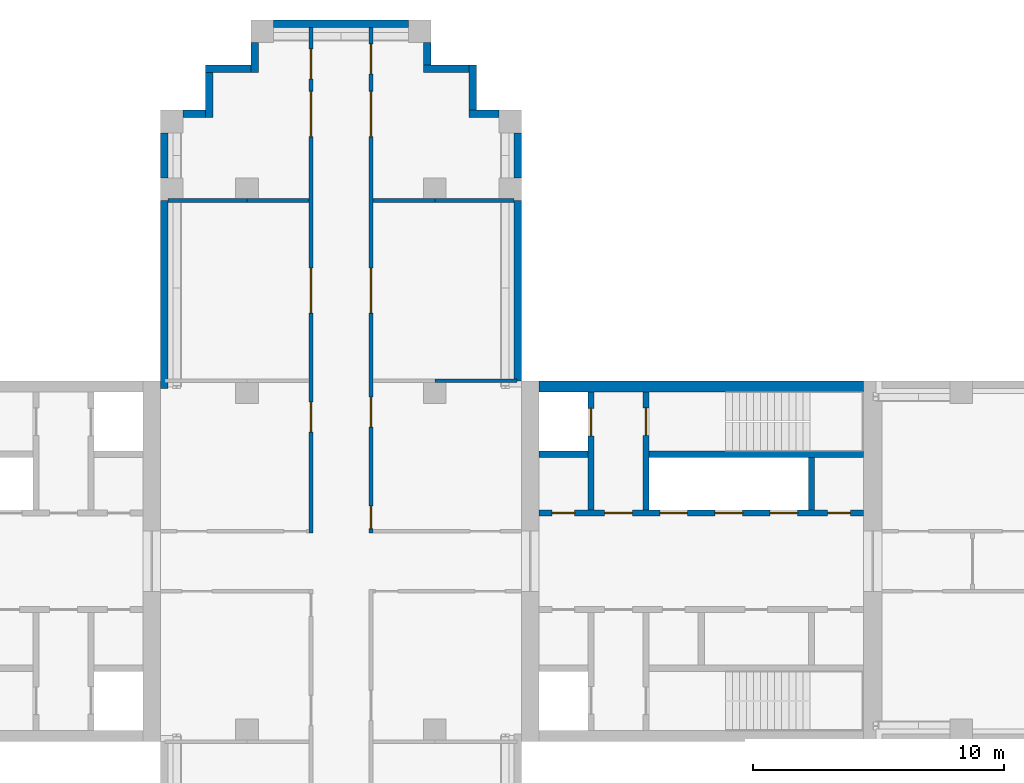
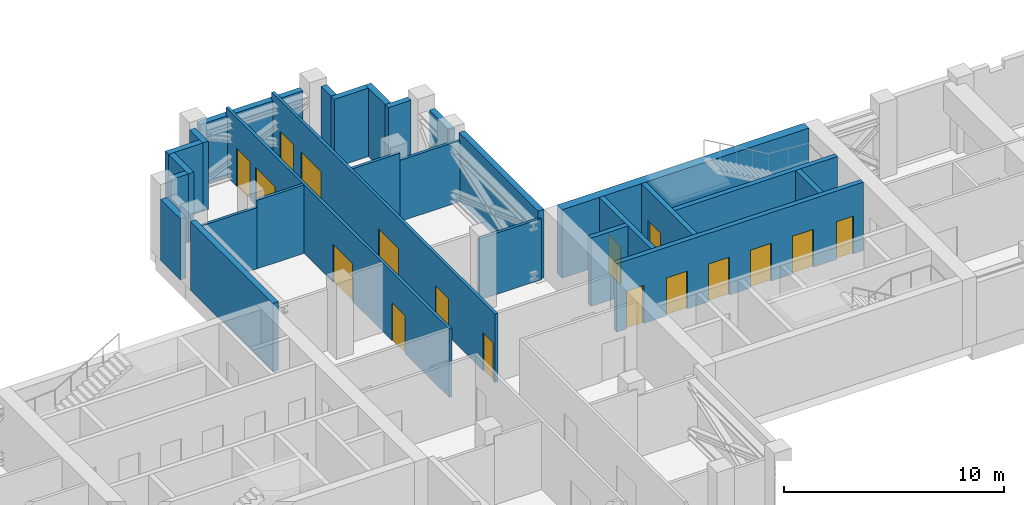
# One storey, part 6 of 9: 27 walls, 17 doors, 17 openings.
"""IFC4 building model written with IfcOpenShell, lengths in metres."""

from ifc_helpers import new_model, si_unit, direction, frame, frame_2d, origin, place, context, subcontext, project, spatial, rectangle, extrude, material, layer, layer_set, type_object, element, fill, save


model = new_model("IFC4")

# Units and contexts
model_context = context("Model", 3, precision=1e-05, world=origin(), true_north=direction((0.0, 1.0)))
body_context = subcontext(model_context, "Body", "Model", "MODEL_VIEW")
ifc_project = project(units=[si_unit("LENGTHUNIT", "METRE"), si_unit("AREAUNIT", "SQUARE_METRE"), si_unit("VOLUMEUNIT", "CUBIC_METRE"), si_unit("PLANEANGLEUNIT", "RADIAN"), si_unit("MASSUNIT", "GRAM", prefix="KILO")], contexts=[model_context])

# Site, building, storey
site_placement = place(None, origin())
site = spatial("IfcSite", under=ifc_project, at=site_placement, CompositionType="ELEMENT")
building_placement = place(site_placement, origin())
building = spatial("IfcBuilding", under=site, at=building_placement, Name="Fustian Cross Tower", CompositionType="ELEMENT")
storey_placement = place(building_placement, frame((0.0, 0.0, 162.300048828125)))
storey = spatial("IfcBuildingStorey", under=building, at=storey_placement, Name="L51", CompositionType="ELEMENT", Elevation=162.300048828125)

# Wall
ifc_material_1 = material(Name="Plasterboard on steel stud", Category="steel")
ifc_layer_1 = layer(ifc_material_1, 0.14990234375)
ifc_layer_set_1 = layer_set([ifc_layer_1], Name="Plasterboard on steel stud")
wall_type_1 = type_object("IfcWallType", Name="COMPARTMENT WALL 150 EI 60", PredefinedType="PARTITIONING", material=ifc_layer_set_1)
wall_1_placement = place(storey_placement, frame((-6.89990234375, 14.39990234375, 0.0), z_axis=(0.0, 0.0, 1.0), x_axis=(1.0, 0.0, 0.0)))
element("IfcWall", 1, at=wall_1_placement, inside=storey, type_object=wall_type_1, Name="Partition 10", PredefinedType="PARTITIONING", context=body_context, shape_type="SweptSolid", body=[
    extrude(rectangle(XDim=3.14990234375, YDim=0.14990234375, at=frame_2d((1.574951171875, 0.0))), origin(), (0.0, 0.0, 1.0), 3.39990234375),
])

# Wall, openings, doors
wall_2_placement = place(storey_placement, frame((-1.199951171875, 1.125, 0.0), z_axis=(0.0, 0.0, 1.0), x_axis=(0.0, 1.0, 0.0)))
wall_2 = element("IfcWall", 2, at=wall_2_placement, inside=storey, type_object=wall_type_1, Name="Partition 12", PredefinedType="PARTITIONING", context=body_context, shape_type="SweptSolid", body=[
    extrude(rectangle(XDim=20.294921875, YDim=0.14990234375, at=frame_2d((10.1474609375, 0.0))), origin(), (0.0, 0.0, 1.0), 3.800048828125),
])
opening_1_placement = place(wall_2_placement, frame((4.02490234375, 0.0, 0.0)))
opening_1 = element("IfcOpeningElement", 3, at=opening_1_placement, cuts=wall_2, Name="Opening D23006", PredefinedType="OPENING", context=body_context, shape_type="SweptSolid", body=[
    extrude(rectangle(XDim=1.199951171875, YDim=2.10009765625, at=frame_2d((0.60009765625, 1.050048828125))), frame((0.0, 0.0849609375, 0.0), z_axis=(0.0, -1.0, 0.0), x_axis=(1.0, 0.0, 0.0)), (0.0, 0.0, 1.0), 0.169921875),
])
opening_2_placement = place(wall_2_placement, frame((8.77490234375, 0.0, 0.0)))
opening_2 = element("IfcOpeningElement", 4, at=opening_2_placement, cuts=wall_2, Name="Opening D23013", PredefinedType="OPENING", context=body_context, shape_type="SweptSolid", body=[
    extrude(rectangle(XDim=1.800048828125, YDim=2.10009765625, at=frame_2d((0.89990234375, 1.050048828125))), frame((0.0, 0.0849609375, 0.0), z_axis=(0.0, -1.0, 0.0), x_axis=(1.0, 0.0, 0.0)), (0.0, 0.0, 1.0), 0.169921875),
])
opening_3_placement = place(wall_2_placement, frame((15.824951171875, 0.0, 0.0)))
opening_3 = element("IfcOpeningElement", 5, at=opening_3_placement, cuts=wall_2, Name="Opening D23014", PredefinedType="OPENING", context=body_context, shape_type="SweptSolid", body=[
    extrude(rectangle(XDim=1.800048828125, YDim=2.10009765625, at=frame_2d((0.89990234375, 1.050048828125))), frame((0.0, 0.0849609375, 0.0), z_axis=(0.0, -1.0, 0.0), x_axis=(1.0, 0.0, 0.0)), (0.0, 0.0, 1.0), 0.169921875),
])
opening_4_placement = place(wall_2_placement, frame((18.125, 0.0, 0.0)))
opening_4 = element("IfcOpeningElement", 6, at=opening_4_placement, cuts=wall_2, Name="Opening D23015", PredefinedType="OPENING", context=body_context, shape_type="SweptSolid", body=[
    extrude(rectangle(XDim=1.199951171875, YDim=2.10009765625, at=frame_2d((0.60009765625, 1.050048828125))), frame((0.0, 0.0849609375, 0.0), z_axis=(0.0, -1.0, 0.0), x_axis=(1.0, 0.0, 0.0)), (0.0, 0.0, 1.0), 0.169921875),
])
ifc_material_2 = material(Name="Timber fire door set", Category="wood")
door_type_1 = type_object("IfcDoorType", Name="FIRE DOUBLE DOOR 1800 FD60S", OperationType="DOUBLE_DOOR_DOUBLE_SWING", PredefinedType="DOOR", material=ifc_material_2)
door_1_placement = place(opening_2_placement, frame((1.800048828125, 0.0, 0.0), z_axis=(0.0, 0.0, 1.0), x_axis=(-1.0, 0.0, 0.0)))
door_1 = element("IfcDoor", 7, at=door_1_placement, inside=storey, type_object=door_type_1, Name="Door D23013", OperationType="DOUBLE_DOOR_DOUBLE_SWING", OverallHeight=2.10009765625, OverallWidth=1.800048828125, PredefinedType="DOOR", context=body_context, shape_type="SweptSolid", body=[
    extrude(rectangle(XDim=1.800048828125, YDim=2.10009765625, at=frame_2d((0.89990234375, 1.050048828125))), frame((0.0, 0.02490234375, 0.0), z_axis=(0.0, -1.0, 0.0), x_axis=(1.0, 0.0, 0.0)), (0.0, 0.0, 1.0), 0.050048828125),
])
fill(opening_2, door_1)
door_2_placement = place(opening_3_placement, frame((1.800048828125, 0.0, 0.0), z_axis=(0.0, 0.0, 1.0), x_axis=(-1.0, 0.0, 0.0)))
door_2 = element("IfcDoor", 8, at=door_2_placement, inside=storey, type_object=door_type_1, Name="Door D23014", OperationType="DOUBLE_DOOR_DOUBLE_SWING", OverallHeight=2.10009765625, OverallWidth=1.800048828125, PredefinedType="DOOR", context=body_context, shape_type="SweptSolid", body=[
    extrude(rectangle(XDim=1.800048828125, YDim=2.10009765625, at=frame_2d((0.89990234375, 1.050048828125))), frame((0.0, 0.02490234375, 0.0), z_axis=(0.0, -1.0, 0.0), x_axis=(1.0, 0.0, 0.0)), (0.0, 0.0, 1.0), 0.050048828125),
])
fill(opening_3, door_2)
ifc_material_3 = material(Name="Timber fire door set", Category="wood")
door_type_2 = type_object("IfcDoorType", Name="FIRE SWING DOOR 1200 FD30S", OperationType="SINGLE_SWING_LEFT", PredefinedType="DOOR", material=ifc_material_3)
door_3_placement = place(opening_1_placement, origin())
door_3 = element("IfcDoor", 9, at=door_3_placement, inside=storey, type_object=door_type_2, Name="Door D23006", OperationType="SINGLE_SWING_RIGHT", OverallHeight=2.10009765625, OverallWidth=1.199951171875, PredefinedType="DOOR", context=body_context, shape_type="SweptSolid", body=[
    extrude(rectangle(XDim=1.199951171875, YDim=2.10009765625, at=frame_2d((0.60009765625, 1.050048828125))), frame((0.0, 0.02490234375, 0.0), z_axis=(0.0, -1.0, 0.0), x_axis=(1.0, 0.0, 0.0)), (0.0, 0.0, 1.0), 0.050048828125),
])
fill(opening_1, door_3)
ifc_material_4 = material(Name="Timber fire door set", Category="wood")
door_type_3 = type_object("IfcDoorType", Name="FIRE SWING DOOR 1200 FD60S", OperationType="SINGLE_SWING_LEFT", PredefinedType="DOOR", material=ifc_material_4)
door_4_placement = place(opening_4_placement, frame((1.199951171875, 0.0, 0.0), z_axis=(0.0, 0.0, 1.0), x_axis=(-1.0, 0.0, 0.0)))
door_4 = element("IfcDoor", 10, at=door_4_placement, inside=storey, type_object=door_type_3, Name="Door D23015", OperationType="SINGLE_SWING_LEFT", OverallHeight=2.10009765625, OverallWidth=1.199951171875, PredefinedType="DOOR", context=body_context, shape_type="SweptSolid", body=[
    extrude(rectangle(XDim=1.199951171875, YDim=2.10009765625, at=frame_2d((0.60009765625, 1.050048828125))), frame((0.0, 0.02490234375, 0.0), z_axis=(0.0, -1.0, 0.0), x_axis=(1.0, 0.0, 0.0)), (0.0, 0.0, 1.0), 0.050048828125),
])
fill(opening_4, door_4)

wall_3_placement = place(storey_placement, frame((1.199951171875, 1.125, 0.0), z_axis=(0.0, 0.0, 1.0), x_axis=(0.0, 1.0, 0.0)))
wall_3 = element("IfcWall", 11, at=wall_3_placement, inside=storey, type_object=wall_type_1, Name="Partition 17", PredefinedType="PARTITIONING", context=body_context, shape_type="SweptSolid", body=[
    extrude(rectangle(XDim=20.294921875, YDim=0.14990234375, at=frame_2d((10.1474609375, 0.0))), origin(), (0.0, 0.0, 1.0), 3.800048828125),
])
opening_5_placement = place(wall_3_placement, frame((0.175048828125, 0.0, 0.0)))
opening_5 = element("IfcOpeningElement", 12, at=opening_5_placement, cuts=wall_3, Name="Opening D23001", PredefinedType="OPENING", context=body_context, shape_type="SweptSolid", body=[
    extrude(rectangle(XDim=0.89990234375, YDim=2.10009765625, at=frame_2d((0.449951171875, 1.050048828125))), frame((0.0, 0.0849609375, 0.0), z_axis=(0.0, -1.0, 0.0), x_axis=(1.0, 0.0, 0.0)), (0.0, 0.0, 1.0), 0.169921875),
])
opening_6_placement = place(wall_3_placement, frame((4.22509765625, 0.0, 0.0)))
opening_6 = element("IfcOpeningElement", 13, at=opening_6_placement, cuts=wall_3, Name="Opening D23002", PredefinedType="OPENING", context=body_context, shape_type="SweptSolid", body=[
    extrude(rectangle(XDim=1.199951171875, YDim=2.10009765625, at=frame_2d((0.60009765625, 1.050048828125))), frame((0.0, 0.0849609375, 0.0), z_axis=(0.0, -1.0, 0.0), x_axis=(1.0, 0.0, 0.0)), (0.0, 0.0, 1.0), 0.169921875),
])
opening_7_placement = place(wall_3_placement, frame((8.77490234375, 0.0, 0.0)))
opening_7 = element("IfcOpeningElement", 14, at=opening_7_placement, cuts=wall_3, Name="Opening D23016", PredefinedType="OPENING", context=body_context, shape_type="SweptSolid", body=[
    extrude(rectangle(XDim=1.800048828125, YDim=2.10009765625, at=frame_2d((0.89990234375, 1.050048828125))), frame((0.0, 0.0849609375, 0.0), z_axis=(0.0, -1.0, 0.0), x_axis=(1.0, 0.0, 0.0)), (0.0, 0.0, 1.0), 0.169921875),
])
opening_8_placement = place(wall_3_placement, frame((15.824951171875, 0.0, 0.0)))
opening_8 = element("IfcOpeningElement", 15, at=opening_8_placement, cuts=wall_3, Name="Opening D23017", PredefinedType="OPENING", context=body_context, shape_type="SweptSolid", body=[
    extrude(rectangle(XDim=1.800048828125, YDim=2.10009765625, at=frame_2d((0.89990234375, 1.050048828125))), frame((0.0, 0.0849609375, 0.0), z_axis=(0.0, -1.0, 0.0), x_axis=(1.0, 0.0, 0.0)), (0.0, 0.0, 1.0), 0.169921875),
])
opening_9_placement = place(wall_3_placement, frame((18.324951171875, 0.0, 0.0)))
opening_9 = element("IfcOpeningElement", 16, at=opening_9_placement, cuts=wall_3, Name="Opening D23018", PredefinedType="OPENING", context=body_context, shape_type="SweptSolid", body=[
    extrude(rectangle(XDim=1.199951171875, YDim=2.10009765625, at=frame_2d((0.60009765625, 1.050048828125))), frame((0.0, 0.0849609375, 0.0), z_axis=(0.0, -1.0, 0.0), x_axis=(1.0, 0.0, 0.0)), (0.0, 0.0, 1.0), 0.169921875),
])
door_5_placement = place(opening_7_placement, origin())
door_5 = element("IfcDoor", 17, at=door_5_placement, inside=storey, type_object=door_type_1, Name="Door D23016", OperationType="DOUBLE_DOOR_DOUBLE_SWING", OverallHeight=2.10009765625, OverallWidth=1.800048828125, PredefinedType="DOOR", context=body_context, shape_type="SweptSolid", body=[
    extrude(rectangle(XDim=1.800048828125, YDim=2.10009765625, at=frame_2d((0.89990234375, 1.050048828125))), frame((0.0, 0.02490234375, 0.0), z_axis=(0.0, -1.0, 0.0), x_axis=(1.0, 0.0, 0.0)), (0.0, 0.0, 1.0), 0.050048828125),
])
fill(opening_7, door_5)
door_6_placement = place(opening_8_placement, origin())
door_6 = element("IfcDoor", 18, at=door_6_placement, inside=storey, type_object=door_type_1, Name="Door D23017", OperationType="DOUBLE_DOOR_DOUBLE_SWING", OverallHeight=2.10009765625, OverallWidth=1.800048828125, PredefinedType="DOOR", context=body_context, shape_type="SweptSolid", body=[
    extrude(rectangle(XDim=1.800048828125, YDim=2.10009765625, at=frame_2d((0.89990234375, 1.050048828125))), frame((0.0, 0.02490234375, 0.0), z_axis=(0.0, -1.0, 0.0), x_axis=(1.0, 0.0, 0.0)), (0.0, 0.0, 1.0), 0.050048828125),
])
fill(opening_8, door_6)
door_7_placement = place(opening_6_placement, origin())
door_7 = element("IfcDoor", 19, at=door_7_placement, inside=storey, type_object=door_type_3, Name="Door D23002", OperationType="SINGLE_SWING_RIGHT", OverallHeight=2.10009765625, OverallWidth=1.199951171875, PredefinedType="DOOR", context=body_context, shape_type="SweptSolid", body=[
    extrude(rectangle(XDim=1.199951171875, YDim=2.10009765625, at=frame_2d((0.60009765625, 1.050048828125))), frame((0.0, 0.02490234375, 0.0), z_axis=(0.0, -1.0, 0.0), x_axis=(1.0, 0.0, 0.0)), (0.0, 0.0, 1.0), 0.050048828125),
])
fill(opening_6, door_7)
door_8_placement = place(opening_9_placement, frame((1.199951171875, 0.0, 0.0), z_axis=(0.0, 0.0, 1.0), x_axis=(-1.0, 0.0, 0.0)))
door_8 = element("IfcDoor", 20, at=door_8_placement, inside=storey, type_object=door_type_3, Name="Door D23018", OperationType="SINGLE_SWING_LEFT", OverallHeight=2.10009765625, OverallWidth=1.199951171875, PredefinedType="DOOR", context=body_context, shape_type="SweptSolid", body=[
    extrude(rectangle(XDim=1.199951171875, YDim=2.10009765625, at=frame_2d((0.60009765625, 1.050048828125))), frame((0.0, 0.02490234375, 0.0), z_axis=(0.0, -1.0, 0.0), x_axis=(1.0, 0.0, 0.0)), (0.0, 0.0, 1.0), 0.050048828125),
])
fill(opening_9, door_8)
ifc_material_5 = material(Name="Timber fire door set", Category="wood")
door_type_4 = type_object("IfcDoorType", Name="FIRE SWING DOOR 900 FD30S", OperationType="SINGLE_SWING_LEFT", PredefinedType="DOOR", material=ifc_material_5)
door_9_placement = place(opening_5_placement, origin())
door_9 = element("IfcDoor", 21, at=door_9_placement, inside=storey, type_object=door_type_4, Name="Door D23001", OperationType="SINGLE_SWING_RIGHT", OverallHeight=2.10009765625, OverallWidth=0.89990234375, PredefinedType="DOOR", context=body_context, shape_type="SweptSolid", body=[
    extrude(rectangle(XDim=0.89990234375, YDim=2.10009765625, at=frame_2d((0.449951171875, 1.050048828125))), frame((0.0, 0.02490234375, 0.0), z_axis=(0.0, -1.0, 0.0), x_axis=(1.0, 0.0, 0.0)), (0.0, 0.0, 1.0), 0.050048828125),
])
fill(opening_5, door_9)

# Walls
for number, where, z_axis, x_axis, name in (
    (22, (1.27490234375, 14.39990234375, 0.0), (0.0, 0.0, 1.0), (1.0, 0.0, 0.0), "Partition 20"),
    (23, (-3.75, 14.39990234375, 0.0), (0.0, 0.0, 1.0), (1.0, 0.0, 0.0), "Partition 10"),
):
    element("IfcWall", number, at=place(storey_placement, frame(where, z_axis=z_axis, x_axis=x_axis)), inside=storey, type_object=wall_type_1, Name=name, PredefinedType="PARTITIONING", context=body_context, shape_type="SweptSolid", body=[
        extrude(rectangle(XDim=2.47509765625, YDim=0.14990234375, at=frame_2d((1.237548828125, 0.0))), origin(), (0.0, 0.0, 1.0), 3.800048828125),
    ])
wall_4_placement = place(storey_placement, frame((3.75, 7.199951171875, 0.0), z_axis=(0.0, 0.0, 1.0), x_axis=(1.0, 0.0, 0.0)))
element("IfcWall", 24, at=wall_4_placement, inside=storey, type_object=wall_type_1, Name="Partition 19", PredefinedType="PARTITIONING", context=body_context, shape_type="SweptSolid", body=[
    extrude(rectangle(XDim=3.27001953125, YDim=0.14990234375, at=frame_2d((1.635009765625, 0.0))), origin(), (0.0, 0.0, 1.0), 3.39990234375),
])
wall_5_placement = place(storey_placement, frame((3.75, 14.39990234375, 0.0), z_axis=(0.0, 0.0, 1.0), x_axis=(1.0, 0.0, 0.0)))
element("IfcWall", 25, at=wall_5_placement, inside=storey, type_object=wall_type_1, Name="Partition 20", PredefinedType="PARTITIONING", context=body_context, shape_type="SweptSolid", body=[
    extrude(rectangle(XDim=3.14990234375, YDim=0.14990234375, at=frame_2d((1.574951171875, 0.0))), origin(), (0.0, 0.0, 1.0), 3.39990234375),
])
ifc_material_6 = material(Name="Concrete C60/75", Category="concrete")
ifc_layer_2 = layer(ifc_material_6, 0.449951171875)
ifc_layer_set_2 = layer_set([ifc_layer_2], Name="Concrete C60/75")
wall_type_2 = type_object("IfcWallType", Name="CORE FACADE WALL 450 C60/75", PredefinedType="SHEAR", material=ifc_layer_set_2)
wall_6_placement = place(storey_placement, frame((7.89990234375, 6.97509765625, 0.0), z_axis=(0.0, 0.0, 1.0), x_axis=(1.0, 0.0, 0.0)))
element("IfcWall", 26, at=wall_6_placement, inside=storey, type_object=wall_type_2, Name="Core facade wall", PredefinedType="SHEAR", context=body_context, shape_type="SweptSolid", body=[
    extrude(rectangle(XDim=12.9501953125, YDim=0.449951171875, at=frame_2d((6.47509765625, 0.0))), origin(), (0.0, 0.0, 1.0), 3.800048828125),
])

# Wall, openings, doors
ifc_material_7 = material(Name="Concrete C50/60", Category="concrete")
ifc_layer_3 = layer(ifc_material_7, 0.25)
ifc_layer_set_3 = layer_set([ifc_layer_3], Name="Concrete C50/60")
wall_type_3 = type_object("IfcWallType", Name="CORE LOBBY WALL 250 C50/60", PredefinedType="SHEAR", material=ifc_layer_set_3)
wall_7_placement = place(storey_placement, frame((7.89990234375, 1.925048828125, 0.0), z_axis=(0.0, 0.0, 1.0), x_axis=(1.0, 0.0, 0.0)))
wall_7 = element("IfcWall", 27, at=wall_7_placement, inside=storey, type_object=wall_type_3, Name="Core lobby wall", PredefinedType="SHEAR", context=body_context, shape_type="SweptSolid", body=[
    extrude(rectangle(XDim=12.9501953125, YDim=0.25, at=frame_2d((6.47509765625, 0.0))), origin(), (0.0, 0.0, 1.0), 3.800048828125),
])
opening_10_placement = place(wall_7_placement, frame((4.824951171875, 0.0, 0.0)))
opening_10 = element("IfcOpeningElement", 28, at=opening_10_placement, cuts=wall_7, Name="Opening LD", PredefinedType="OPENING", context=body_context, shape_type="SweptSolid", body=[
    extrude(rectangle(XDim=1.10009765625, YDim=2.10009765625, at=frame_2d((0.550048828125, 1.050048828125))), frame((0.0, 0.135009765625, 0.0), z_axis=(0.0, -1.0, 0.0), x_axis=(1.0, 0.0, 0.0)), (0.0, 0.0, 1.0), 0.27001953125),
])
opening_11_placement = place(wall_7_placement, frame((7.02490234375, 0.0, 0.0)))
opening_11 = element("IfcOpeningElement", 29, at=opening_11_placement, cuts=wall_7, Name="Opening LD", PredefinedType="OPENING", context=body_context, shape_type="SweptSolid", body=[
    extrude(rectangle(XDim=1.10009765625, YDim=2.10009765625, at=frame_2d((0.550048828125, 1.050048828125))), frame((0.0, 0.135009765625, 0.0), z_axis=(0.0, -1.0, 0.0), x_axis=(1.0, 0.0, 0.0)), (0.0, 0.0, 1.0), 0.27001953125),
])
opening_12_placement = place(wall_7_placement, frame((9.22509765625, 0.0, 0.0)))
opening_12 = element("IfcOpeningElement", 30, at=opening_12_placement, cuts=wall_7, Name="Opening LD", PredefinedType="OPENING", context=body_context, shape_type="SweptSolid", body=[
    extrude(rectangle(XDim=1.10009765625, YDim=2.10009765625, at=frame_2d((0.550048828125, 1.050048828125))), frame((0.0, 0.135009765625, 0.0), z_axis=(0.0, -1.0, 0.0), x_axis=(1.0, 0.0, 0.0)), (0.0, 0.0, 1.0), 0.27001953125),
])
opening_13_placement = place(wall_7_placement, frame((0.52490234375, 0.0, 0.0)))
opening_13 = element("IfcOpeningElement", 31, at=opening_13_placement, cuts=wall_7, Name="Opening CD-20-08", PredefinedType="OPENING", context=body_context, shape_type="SweptSolid", body=[
    extrude(rectangle(XDim=0.89990234375, YDim=2.10009765625, at=frame_2d((0.449951171875, 1.050048828125))), frame((0.0, 0.135009765625, 0.0), z_axis=(0.0, -1.0, 0.0), x_axis=(1.0, 0.0, 0.0)), (0.0, 0.0, 1.0), 0.27001953125),
])
opening_14_placement = place(wall_7_placement, frame((2.625, 0.0, 0.0)))
opening_14 = element("IfcOpeningElement", 32, at=opening_14_placement, cuts=wall_7, Name="Opening CD-20-10", PredefinedType="OPENING", context=body_context, shape_type="SweptSolid", body=[
    extrude(rectangle(XDim=1.10009765625, YDim=2.10009765625, at=frame_2d((0.550048828125, 1.050048828125))), frame((0.0, 0.135009765625, 0.0), z_axis=(0.0, -1.0, 0.0), x_axis=(1.0, 0.0, 0.0)), (0.0, 0.0, 1.0), 0.27001953125),
])
opening_15_placement = place(wall_7_placement, frame((11.52490234375, 0.0, 0.0)))
opening_15 = element("IfcOpeningElement", 33, at=opening_15_placement, cuts=wall_7, Name="Opening CD-20-14", PredefinedType="OPENING", context=body_context, shape_type="SweptSolid", body=[
    extrude(rectangle(XDim=0.89990234375, YDim=2.10009765625, at=frame_2d((0.449951171875, 1.050048828125))), frame((0.0, 0.135009765625, 0.0), z_axis=(0.0, -1.0, 0.0), x_axis=(1.0, 0.0, 0.0)), (0.0, 0.0, 1.0), 0.27001953125),
])
ifc_material_8 = material(Name="Steel", Category="steel")
door_type_5 = type_object("IfcDoorType", Name="FIRE DOOR FD30S 900X2100", OperationType="SINGLE_SWING_LEFT", PredefinedType="DOOR", material=ifc_material_8)
door_10_placement = place(opening_15_placement, origin())
door_10 = element("IfcDoor", 34, at=door_10_placement, inside=storey, type_object=door_type_5, Name="Core door CD-20-14", OperationType="SINGLE_SWING_LEFT", OverallHeight=2.10009765625, OverallWidth=0.89990234375, PredefinedType="DOOR", context=body_context, shape_type="SweptSolid", body=[
    extrude(rectangle(XDim=0.89990234375, YDim=2.10009765625, at=frame_2d((0.449951171875, 1.050048828125))), frame((0.0, 0.02490234375, 0.0), z_axis=(0.0, -1.0, 0.0), x_axis=(1.0, 0.0, 0.0)), (0.0, 0.0, 1.0), 0.050048828125),
])
fill(opening_15, door_10)
ifc_material_9 = material(Name="Steel", Category="steel")
door_type_6 = type_object("IfcDoorType", Name="FIRE DOOR FD60S 1100X2100", OperationType="SINGLE_SWING_LEFT", PredefinedType="DOOR", material=ifc_material_9)
door_11_placement = place(opening_14_placement, frame((1.10009765625, 0.0, 0.0), z_axis=(0.0, 0.0, 1.0), x_axis=(-1.0, 0.0, 0.0)))
door_11 = element("IfcDoor", 35, at=door_11_placement, inside=storey, type_object=door_type_6, Name="Core door CD-20-10", OperationType="SINGLE_SWING_RIGHT", OverallHeight=2.10009765625, OverallWidth=1.10009765625, PredefinedType="DOOR", context=body_context, shape_type="SweptSolid", body=[
    extrude(rectangle(XDim=1.10009765625, YDim=2.10009765625, at=frame_2d((0.550048828125, 1.050048828125))), frame((0.0, 0.02490234375, 0.0), z_axis=(0.0, -1.0, 0.0), x_axis=(1.0, 0.0, 0.0)), (0.0, 0.0, 1.0), 0.050048828125),
])
fill(opening_14, door_11)
ifc_material_10 = material(Name="Steel", Category="steel")
door_type_7 = type_object("IfcDoorType", Name="FIRE DOOR FD60S 900X2100", OperationType="SINGLE_SWING_LEFT", PredefinedType="DOOR", material=ifc_material_10)
door_12_placement = place(opening_13_placement, origin())
door_12 = element("IfcDoor", 36, at=door_12_placement, inside=storey, type_object=door_type_7, Name="Core door CD-20-08", OperationType="SINGLE_SWING_LEFT", OverallHeight=2.10009765625, OverallWidth=0.89990234375, PredefinedType="DOOR", context=body_context, shape_type="SweptSolid", body=[
    extrude(rectangle(XDim=0.89990234375, YDim=2.10009765625, at=frame_2d((0.449951171875, 1.050048828125))), frame((0.0, 0.02490234375, 0.0), z_axis=(0.0, -1.0, 0.0), x_axis=(1.0, 0.0, 0.0)), (0.0, 0.0, 1.0), 0.050048828125),
])
fill(opening_13, door_12)
ifc_material_11 = material(Name="Stainless steel", Category="steel")
door_type_8 = type_object("IfcDoorType", Name="LIFT LANDING DOOR 1100X2100", OperationType="SLIDING_TO_LEFT", PredefinedType="DOOR", material=ifc_material_11)
door_13_placement = place(opening_10_placement, origin())
door_13 = element("IfcDoor", 37, at=door_13_placement, inside=storey, type_object=door_type_8, Name="Landing door HR1", OperationType="SLIDING_TO_LEFT", OverallHeight=2.10009765625, OverallWidth=1.10009765625, PredefinedType="DOOR", context=body_context, shape_type="SweptSolid", body=[
    extrude(rectangle(XDim=1.10009765625, YDim=2.10009765625, at=frame_2d((0.550048828125, 1.050048828125))), frame((0.0, 0.02490234375, 0.0), z_axis=(0.0, -1.0, 0.0), x_axis=(1.0, 0.0, 0.0)), (0.0, 0.0, 1.0), 0.050048828125),
])
fill(opening_10, door_13)
door_14_placement = place(opening_11_placement, origin())
door_14 = element("IfcDoor", 38, at=door_14_placement, inside=storey, type_object=door_type_8, Name="Landing door HR2", OperationType="SLIDING_TO_LEFT", OverallHeight=2.10009765625, OverallWidth=1.10009765625, PredefinedType="DOOR", context=body_context, shape_type="SweptSolid", body=[
    extrude(rectangle(XDim=1.10009765625, YDim=2.10009765625, at=frame_2d((0.550048828125, 1.050048828125))), frame((0.0, 0.02490234375, 0.0), z_axis=(0.0, -1.0, 0.0), x_axis=(1.0, 0.0, 0.0)), (0.0, 0.0, 1.0), 0.050048828125),
])
fill(opening_11, door_14)
door_15_placement = place(opening_12_placement, origin())
door_15 = element("IfcDoor", 39, at=door_15_placement, inside=storey, type_object=door_type_8, Name="Landing door HR3", OperationType="SLIDING_TO_LEFT", OverallHeight=2.10009765625, OverallWidth=1.10009765625, PredefinedType="DOOR", context=body_context, shape_type="SweptSolid", body=[
    extrude(rectangle(XDim=1.10009765625, YDim=2.10009765625, at=frame_2d((0.550048828125, 1.050048828125))), frame((0.0, 0.02490234375, 0.0), z_axis=(0.0, -1.0, 0.0), x_axis=(1.0, 0.0, 0.0)), (0.0, 0.0, 1.0), 0.050048828125),
])
fill(opening_12, door_15)

# Walls
ifc_material_12 = material(Name="Concrete C50/60", Category="concrete")
ifc_layer_4 = layer(ifc_material_12, 0.25)
ifc_layer_set_4 = layer_set([ifc_layer_4], Name="Concrete C50/60")
wall_type_4 = type_object("IfcWallType", Name="CORE SHAFT WALL 250 C50/60", PredefinedType="SHEAR", material=ifc_layer_set_4)
wall_8_placement = place(storey_placement, frame((7.89990234375, 4.27490234375, 0.0), z_axis=(0.0, 0.0, 1.0), x_axis=(1.0, 0.0, 0.0)))
element("IfcWall", 40, at=wall_8_placement, inside=storey, type_object=wall_type_4, Name="Core shaft wall", PredefinedType="SHEAR", context=body_context, shape_type="SweptSolid", body=[
    extrude(rectangle(XDim=1.9501953125, YDim=0.25, at=frame_2d((0.97509765625, 0.0))), origin(), (0.0, 0.0, 1.0), 3.800048828125),
])
wall_9_placement = place(storey_placement, frame((12.300048828125, 4.27490234375, 0.0), z_axis=(0.0, 0.0, 1.0), x_axis=(1.0, 0.0, 0.0)))
element("IfcWall", 41, at=wall_9_placement, inside=storey, type_object=wall_type_4, Name="Core shaft wall", PredefinedType="SHEAR", context=body_context, shape_type="SweptSolid", body=[
    extrude(rectangle(XDim=8.550048828125, YDim=0.25, at=frame_2d((4.27490234375, 0.0))), origin(), (0.0, 0.0, 1.0), 3.800048828125),
])

# Wall, opening, door
wall_10_placement = place(storey_placement, frame((9.97509765625, 2.050048828125, 0.0), z_axis=(0.0, 0.0, 1.0), x_axis=(0.0, 1.0, 0.0)))
wall_10 = element("IfcWall", 42, at=wall_10_placement, inside=storey, type_object=wall_type_4, Name="Core shaft wall", PredefinedType="SHEAR", context=body_context, shape_type="SweptSolid", body=[
    extrude(rectangle(XDim=4.699951171875, YDim=0.25, at=frame_2d((2.35009765625, 0.0))), origin(), (0.0, 0.0, 1.0), 3.800048828125),
])
opening_16_placement = place(wall_10_placement, frame((2.949951171875, 0.0, 0.0)))
opening_16 = element("IfcOpeningElement", 43, at=opening_16_placement, cuts=wall_10, Name="Opening LD", PredefinedType="OPENING", context=body_context, shape_type="SweptSolid", body=[
    extrude(rectangle(XDim=1.10009765625, YDim=2.10009765625, at=frame_2d((0.550048828125, 1.050048828125))), frame((0.0, 0.135009765625, 0.0), z_axis=(0.0, -1.0, 0.0), x_axis=(1.0, 0.0, 0.0)), (0.0, 0.0, 1.0), 0.27001953125),
])
door_16_placement = place(opening_16_placement, origin())
door_16 = element("IfcDoor", 44, at=door_16_placement, inside=storey, type_object=door_type_8, Name="Landing door FL1", OperationType="SLIDING_TO_LEFT", OverallHeight=2.10009765625, OverallWidth=1.10009765625, PredefinedType="DOOR", context=body_context, shape_type="SweptSolid", body=[
    extrude(rectangle(XDim=1.10009765625, YDim=2.10009765625, at=frame_2d((0.550048828125, 1.050048828125))), frame((0.0, 0.02490234375, 0.0), z_axis=(0.0, -1.0, 0.0), x_axis=(1.0, 0.0, 0.0)), (0.0, 0.0, 1.0), 0.050048828125),
])
fill(opening_16, door_16)

wall_11_placement = place(storey_placement, frame((12.175048828125, 2.050048828125, 0.0), z_axis=(0.0, 0.0, 1.0), x_axis=(0.0, 1.0, 0.0)))
wall_11 = element("IfcWall", 45, at=wall_11_placement, inside=storey, type_object=wall_type_4, Name="Core shaft wall", PredefinedType="SHEAR", context=body_context, shape_type="SweptSolid", body=[
    extrude(rectangle(XDim=4.699951171875, YDim=0.25, at=frame_2d((2.35009765625, 0.0))), origin(), (0.0, 0.0, 1.0), 3.800048828125),
])
opening_17_placement = place(wall_11_placement, frame((2.97509765625, 0.0, 0.0)))
opening_17 = element("IfcOpeningElement", 46, at=opening_17_placement, cuts=wall_11, Name="Opening CD-20-06", PredefinedType="OPENING", context=body_context, shape_type="SweptSolid", body=[
    extrude(rectangle(XDim=1.10009765625, YDim=2.10009765625, at=frame_2d((0.550048828125, 1.050048828125))), frame((0.0, 0.135009765625, 0.0), z_axis=(0.0, -1.0, 0.0), x_axis=(1.0, 0.0, 0.0)), (0.0, 0.0, 1.0), 0.27001953125),
])
door_17_placement = place(opening_17_placement, frame((1.10009765625, 0.0, 0.0), z_axis=(0.0, 0.0, 1.0), x_axis=(-1.0, 0.0, 0.0)))
door_17 = element("IfcDoor", 47, at=door_17_placement, inside=storey, type_object=door_type_6, Name="Core door CD-20-06", OperationType="SINGLE_SWING_RIGHT", OverallHeight=2.10009765625, OverallWidth=1.10009765625, PredefinedType="DOOR", context=body_context, shape_type="SweptSolid", body=[
    extrude(rectangle(XDim=1.10009765625, YDim=2.10009765625, at=frame_2d((0.550048828125, 1.050048828125))), frame((0.0, 0.02490234375, 0.0), z_axis=(0.0, -1.0, 0.0), x_axis=(1.0, 0.0, 0.0)), (0.0, 0.0, 1.0), 0.050048828125),
])
fill(opening_17, door_17)

# Walls
ifc_material_13 = material(Name="Concrete C40/50", Category="concrete")
ifc_layer_5 = layer(ifc_material_13, 0.25)
ifc_layer_set_5 = layer_set([ifc_layer_5], Name="Concrete C40/50")
wall_type_5 = type_object("IfcWallType", Name="SHAFT PARTITION WALL 250 C40/50", PredefinedType="PARTITIONING", material=ifc_layer_set_5)
wall_12_placement = place(storey_placement, frame((18.77490234375, 2.050048828125, 0.0), z_axis=(0.0, 0.0, 1.0), x_axis=(0.0, 1.0, 0.0)))
element("IfcWall", 48, at=wall_12_placement, inside=storey, type_object=wall_type_5, Name="Core shaft wall", PredefinedType="PARTITIONING", context=body_context, shape_type="SweptSolid", body=[
    extrude(rectangle(XDim=2.099853515625, YDim=0.25, at=frame_2d((1.0498046875, 0.0))), origin(), (0.0, 0.0, 1.0), 3.800048828125),
])
ifc_material_14 = material(Name="Dark aluminium louvres on insulated backing wall", Category="aluminium")
ifc_layer_6 = layer(ifc_material_14, 0.300048828125)
ifc_layer_set_6 = layer_set([ifc_layer_6], Name="Dark aluminium louvres on insulated backing wall")
wall_type_6 = type_object("IfcWallType", Name="XW2 LOUVRED PLANT WALL 300", PredefinedType="SOLIDWALL", material=ifc_layer_set_6)
wall_13_placement = place(storey_placement, frame((7.050048828125, 7.199951171875, 0.0), z_axis=(0.0, 0.0, 1.0), x_axis=(0.0, 1.0, 0.0)))
element("IfcWall", 49, at=wall_13_placement, inside=storey, type_object=wall_type_6, Name="Plant louvre wall", PredefinedType="SOLIDWALL", context=body_context, shape_type="SweptSolid", body=[
    extrude(rectangle(XDim=7.199951171875, YDim=0.300048828125, at=frame_2d((3.60009765625, 0.0))), origin(), (0.0, 0.0, 1.0), 3.800048828125),
])
wall_14_placement = place(storey_placement, frame((7.050048828125, 15.300048828125, 0.0), z_axis=(0.0, 0.0, 1.0), x_axis=(0.0, 1.0, 0.0)))
element("IfcWall", 50, at=wall_14_placement, inside=storey, type_object=wall_type_6, Name="Plant louvre wall", PredefinedType="SOLIDWALL", context=body_context, shape_type="SweptSolid", body=[
    extrude(rectangle(XDim=1.800048828125, YDim=0.300048828125, at=frame_2d((0.89990234375, 0.0))), origin(), (0.0, 0.0, 1.0), 3.39990234375),
])
wall_15_placement = place(storey_placement, frame((6.300048828125, 17.85009765625, 0.0), z_axis=(0.0, 0.0, 1.0), x_axis=(-1.0, 0.0, 0.0)))
element("IfcWall", 51, at=wall_15_placement, inside=storey, type_object=wall_type_6, Name="Plant louvre wall", PredefinedType="SOLIDWALL", context=body_context, shape_type="SweptSolid", body=[
    extrude(rectangle(XDim=1.199951171875, YDim=0.300048828125, at=frame_2d((0.60009765625, 0.0))), origin(), (0.0, 0.0, 1.0), 3.800048828125),
])
for number, where, z_axis, x_axis, name in (
    (52, (5.25, 18.0, 0.0), (0.0, 0.0, 1.0), (0.0, 1.0, 0.0), "Plant louvre wall"),
    (53, (5.10009765625, 19.64990234375, 0.0), (0.0, 0.0, 1.0), (-1.0, 0.0, 0.0), "Plant louvre wall"),
):
    element("IfcWall", number, at=place(storey_placement, frame(where, z_axis=z_axis, x_axis=x_axis)), inside=storey, type_object=wall_type_6, Name=name, PredefinedType="SOLIDWALL", context=body_context, shape_type="SweptSolid", body=[
        extrude(rectangle(XDim=1.800048828125, YDim=0.300048828125, at=frame_2d((0.89990234375, 0.0))), origin(), (0.0, 0.0, 1.0), 3.800048828125),
    ])
wall_16_placement = place(storey_placement, frame((3.449951171875, 19.800048828125, 0.0), z_axis=(0.0, 0.0, 1.0), x_axis=(0.0, 1.0, 0.0)))
element("IfcWall", 54, at=wall_16_placement, inside=storey, type_object=wall_type_6, Name="Plant louvre wall", PredefinedType="SOLIDWALL", context=body_context, shape_type="SweptSolid", body=[
    extrude(rectangle(XDim=0.89990234375, YDim=0.300048828125, at=frame_2d((0.449951171875, 0.0))), origin(), (0.0, 0.0, 1.0), 3.800048828125),
])
wall_17_placement = place(storey_placement, frame((2.699951171875, 21.449951171875, 0.0), z_axis=(0.0, 0.0, 1.0), x_axis=(-1.0, 0.0, 0.0)))
element("IfcWall", 55, at=wall_17_placement, inside=storey, type_object=wall_type_6, Name="Plant louvre wall", PredefinedType="SOLIDWALL", context=body_context, shape_type="SweptSolid", body=[
    extrude(rectangle(XDim=5.39990234375, YDim=0.300048828125, at=frame_2d((2.699951171875, 0.0))), origin(), (0.0, 0.0, 1.0), 3.39990234375),
])
wall_18_placement = place(storey_placement, frame((-3.449951171875, 20.699951171875, 0.0), z_axis=(0.0, 0.0, 1.0), x_axis=(0.0, -1.0, 0.0)))
element("IfcWall", 56, at=wall_18_placement, inside=storey, type_object=wall_type_6, Name="Plant louvre wall", PredefinedType="SOLIDWALL", context=body_context, shape_type="SweptSolid", body=[
    extrude(rectangle(XDim=1.199951171875, YDim=0.300048828125, at=frame_2d((0.60009765625, 0.0))), origin(), (0.0, 0.0, 1.0), 3.800048828125),
])
wall_19_placement = place(storey_placement, frame((-3.60009765625, 19.64990234375, 0.0), z_axis=(0.0, 0.0, 1.0), x_axis=(-1.0, 0.0, 0.0)))
element("IfcWall", 57, at=wall_19_placement, inside=storey, type_object=wall_type_6, Name="Plant louvre wall", PredefinedType="SOLIDWALL", context=body_context, shape_type="SweptSolid", body=[
    extrude(rectangle(XDim=1.7998046875, YDim=0.300048828125, at=frame_2d((0.89990234375, 0.0))), origin(), (0.0, 0.0, 1.0), 3.800048828125),
])
wall_20_placement = place(storey_placement, frame((-5.25, 19.5, 0.0), z_axis=(0.0, 0.0, 1.0), x_axis=(0.0, -1.0, 0.0)))
element("IfcWall", 58, at=wall_20_placement, inside=storey, type_object=wall_type_6, Name="Plant louvre wall", PredefinedType="SOLIDWALL", context=body_context, shape_type="SweptSolid", body=[
    extrude(rectangle(XDim=1.800048828125, YDim=0.300048828125, at=frame_2d((0.89990234375, 0.0))), origin(), (0.0, 0.0, 1.0), 3.800048828125),
])
wall_21_placement = place(storey_placement, frame((-5.39990234375, 17.85009765625, 0.0), z_axis=(0.0, 0.0, 1.0), x_axis=(-1.0, 0.0, 0.0)))
element("IfcWall", 59, at=wall_21_placement, inside=storey, type_object=wall_type_6, Name="Plant louvre wall", PredefinedType="SOLIDWALL", context=body_context, shape_type="SweptSolid", body=[
    extrude(rectangle(XDim=0.900146484375, YDim=0.300048828125, at=frame_2d((0.4501953125, 0.0))), origin(), (0.0, 0.0, 1.0), 3.800048828125),
])
wall_22_placement = place(storey_placement, frame((-7.050048828125, 17.10009765625, 0.0), z_axis=(0.0, 0.0, 1.0), x_axis=(0.0, -1.0, 0.0)))
element("IfcWall", 60, at=wall_22_placement, inside=storey, type_object=wall_type_6, Name="Plant louvre wall", PredefinedType="SOLIDWALL", context=body_context, shape_type="SweptSolid", body=[
    extrude(rectangle(XDim=1.800048828125, YDim=0.300048828125, at=frame_2d((0.89990234375, 0.0))), origin(), (0.0, 0.0, 1.0), 3.39990234375),
])
wall_23_placement = place(storey_placement, frame((-7.050048828125, 14.39990234375, 0.0), z_axis=(0.0, 0.0, 1.0), x_axis=(0.0, -1.0, 0.0)))
element("IfcWall", 61, at=wall_23_placement, inside=storey, type_object=wall_type_6, Name="Plant louvre wall", PredefinedType="SOLIDWALL", context=body_context, shape_type="SweptSolid", body=[
    extrude(rectangle(XDim=7.5, YDim=0.300048828125, at=frame_2d((3.75, 0.0))), origin(), (0.0, 0.0, 1.0), 3.800048828125),
])

save(model, "model.ifc")
